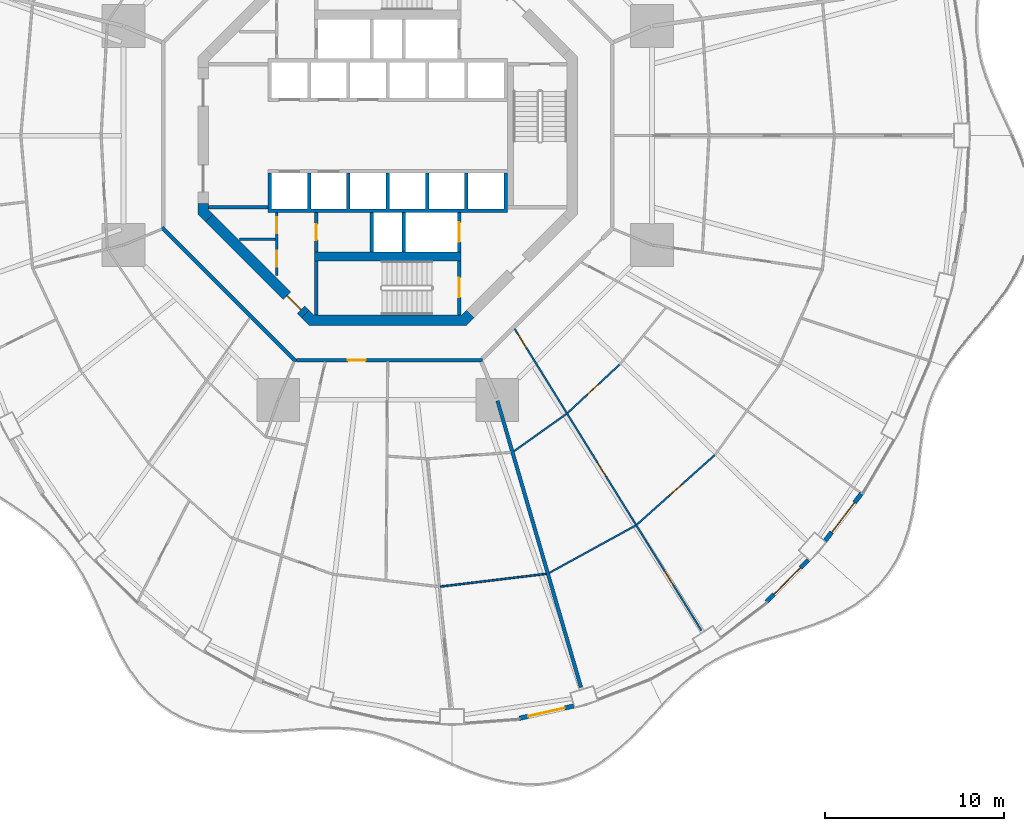
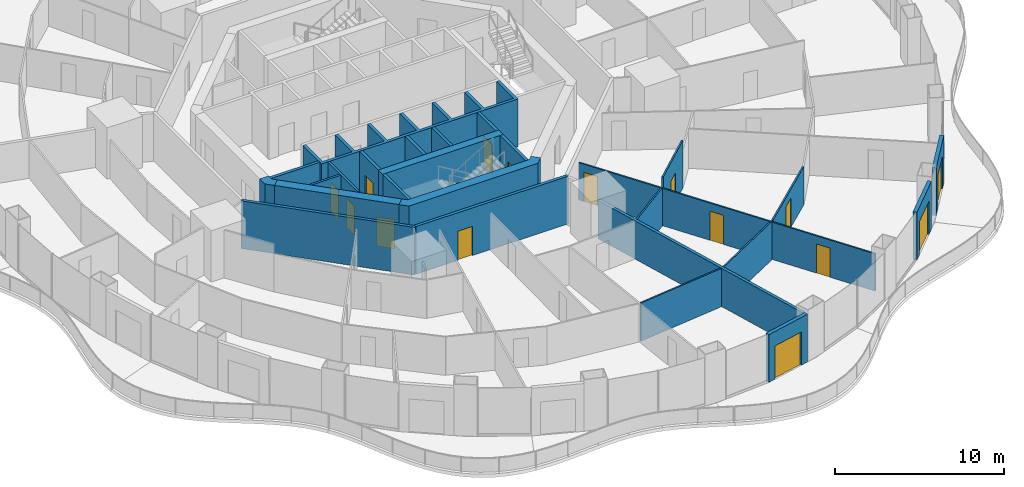
# One storey, part 15 of 22: 26 walls, 15 doors, 15 openings.
"""IFC4 building model written with IfcOpenShell, lengths in metres."""

from ifc_helpers import new_model, si_unit, direction, frame, frame_2d, origin, place, context, subcontext, project, spatial, polyline, rectangle, outline, extrude, material, layer, layer_set, type_object, element, fill, save


model = new_model("IFC4")

# Units and contexts
model_context = context("Model", 3, precision=1e-05, world=origin(), true_north=direction((0.0, 1.0)))
body_context = subcontext(model_context, "Body", "Model", "MODEL_VIEW")
ifc_project = project(units=[si_unit("LENGTHUNIT", "METRE"), si_unit("AREAUNIT", "SQUARE_METRE"), si_unit("VOLUMEUNIT", "CUBIC_METRE"), si_unit("PLANEANGLEUNIT", "RADIAN"), si_unit("MASSUNIT", "GRAM", prefix="KILO")], contexts=[model_context])

# Site, building, storey
site_placement = place(None, origin())
site = spatial("IfcSite", under=ifc_project, at=site_placement, CompositionType="ELEMENT")
building_placement = place(site_placement, origin())
building = spatial("IfcBuilding", under=site, at=building_placement, Name="Nagisa Residences", CompositionType="ELEMENT")
storey_placement = place(building_placement, frame((0.0, 0.0, 38.10009765625)))
storey = spatial("IfcBuildingStorey", under=building, at=storey_placement, Name="L08", CompositionType="ELEMENT", Elevation=38.10009765625)

# Walls
ifc_material_1 = material(Name="Gypsum board on steel studs", Category="steel")
ifc_layer_1 = layer(ifc_material_1, 0.199951171875)
ifc_layer_set_1 = layer_set([ifc_layer_1], Name="Apartment compartment wall EI60 200")
wall_type_1 = type_object("IfcWallType", Name="Apartment compartment wall EI60 200", PredefinedType="PARTITIONING", material=ifc_layer_set_1)
wall_1_placement = place(storey_placement, frame((6.136962890625, -14.830078125, 0.0), z_axis=(0.0, 0.0, 1.0), x_axis=(0.27985745069, -0.960041565399, 0.0)))
element("IfcWall", 1, at=wall_1_placement, inside=storey, type_object=wall_type_1, Name="wall:L08:u05", PredefinedType="PARTITIONING", context=body_context, shape_type="SweptSolid", body=[
    extrude(rectangle(XDim=16.705078125, YDim=0.199951171875, at=frame_2d((8.3525390625, 0.0))), origin(), (0.0, 0.0, 1.0), 2.755859375),
])
ifc_material_2 = material(Name="Gypsum board on steel studs", Category="steel")
ifc_layer_2 = layer(ifc_material_2, 0.199951171875)
ifc_layer_set_2 = layer_set([ifc_layer_2], Name="Apartment entry wall EI60 200")
wall_type_2 = type_object("IfcWallType", Name="Apartment entry wall EI60 200", PredefinedType="PARTITIONING", material=ifc_layer_set_2)
wall_2_placement = place(storey_placement, frame((-12.635498046875, -5.1337890625, 0.0), z_axis=(0.0, 0.0, 1.0), x_axis=(0.707106781187, -0.707106781187, 0.0)))
element("IfcWall", 2, at=wall_2_placement, inside=storey, type_object=wall_type_2, Name="wall:L08:u11", PredefinedType="PARTITIONING", context=body_context, shape_type="SweptSolid", body=[
    extrude(rectangle(XDim=10.609130859375, YDim=0.199951171875, at=frame_2d((5.3046875, 0.0))), origin(), (0.0, 0.0, 1.0), 3.43994140625),
])

# Wall, opening, door
wall_3_placement = place(storey_placement, frame((-5.1044921875, -12.564697265625, 0.0), z_axis=(0.0, 0.0, 1.0), x_axis=(1.0, 0.0, 0.0)))
wall_3 = element("IfcWall", 3, at=wall_3_placement, inside=storey, type_object=wall_type_2, Name="wall:L08:u12", PredefinedType="PARTITIONING", context=body_context, shape_type="SweptSolid", body=[
    extrude(rectangle(XDim=10.408935546875, YDim=0.199951171875, at=frame_2d((5.20458984375, 0.0))), origin(), (0.0, 0.0, 1.0), 3.43994140625),
])
opening_1_placement = place(wall_3_placement, frame((2.86962890625, 0.0, 0.0)))
opening_1 = element("IfcOpeningElement", 4, at=opening_1_placement, cuts=wall_3, Name="Opening L08-U21", PredefinedType="OPENING", context=body_context, shape_type="SweptSolid", body=[
    extrude(rectangle(XDim=1.0, YDim=2.10009765625, at=frame_2d((0.5, 1.050048828125))), frame((0.0, 0.10986328125, 0.0), z_axis=(0.0, -1.0, 0.0), x_axis=(1.0, 0.0, 0.0)), (0.0, 0.0, 1.0), 0.219970703125),
])
ifc_material_3 = material(Name="Timber fire door set", Category="wood")
door_type_1 = type_object("IfcDoorType", Name="Apartment entry door FD30S 1000x2100", OperationType="NOTDEFINED", PredefinedType="DOOR", material=ifc_material_3)
door_1_placement = place(opening_1_placement, frame((1.0, 0.0, 0.0), x_axis=(-1.0, 0.0, 0.0)))
door_1 = element("IfcDoor", 5, at=door_1_placement, inside=storey, type_object=door_type_1, Name="Entry door, Apartment 08B", OperationType="SINGLE_SWING_RIGHT", OverallHeight=2.10009765625, OverallWidth=1.0, PredefinedType="DOOR", context=body_context, shape_type="SweptSolid", body=[
    extrude(rectangle(XDim=1.0, YDim=2.10009765625, at=frame_2d((0.5, 1.050048828125))), frame((0.0, 0.02490234375, 0.0), z_axis=(0.0, -1.0, 0.0), x_axis=(1.0, 0.0, 0.0)), (0.0, 0.0, 1.0), 0.050048828125),
])
fill(opening_1, door_1)

# Walls
ifc_material_4 = material(Name="Gypsum board on steel studs", Category="steel")
ifc_layer_3 = layer(ifc_material_4, 0.10009765625)
ifc_layer_set_3 = layer_set([ifc_layer_3], Name="Apartment partition 100")
wall_type_3 = type_object("IfcWallType", Name="Apartment partition 100", PredefinedType="PARTITIONING", material=ifc_layer_set_3)
wall_4_placement = place(storey_placement, frame((2.94091796875, -25.228515625, 0.0), z_axis=(0.0, 0.0, 1.0), x_axis=(0.992834127896, 0.119500604542, 0.0)))
element("IfcWall", 6, at=wall_4_placement, inside=storey, type_object=wall_type_3, Name="wall:L08:u78", PredefinedType="PARTITIONING", context=body_context, shape_type="SweptSolid", body=[
    extrude(rectangle(XDim=5.95947265625, YDim=0.10009765625, at=frame_2d((2.979736328125, 0.0))), origin(), (0.0, 0.0, 1.0), 2.755859375),
])
wall_5_placement = place(storey_placement, frame((7.0595703125, -17.657470703125, 0.0), z_axis=(0.0, 0.0, 1.0), x_axis=(0.81492039338, 0.57957290521, 0.0)))
element("IfcWall", 7, at=wall_5_placement, inside=storey, type_object=wall_type_3, Name="wall:L08:u79", PredefinedType="PARTITIONING", context=body_context, shape_type="SweptSolid", body=[
    extrude(rectangle(XDim=3.594482421875, YDim=0.10009765625, at=frame_2d((1.79736328125, 0.0))), origin(), (0.0, 0.0, 1.0), 2.755859375),
])
wall_6_placement = place(storey_placement, frame((9.044677734375, -24.456298828125, 0.0), z_axis=(0.0, 0.0, 1.0), x_axis=(0.876809987787, 0.480837025734, 0.0)))
element("IfcWall", 8, at=wall_6_placement, inside=storey, type_object=wall_type_3, Name="wall:L08:u80", PredefinedType="PARTITIONING", context=body_context, shape_type="SweptSolid", body=[
    extrude(rectangle(XDim=5.486083984375, YDim=0.10009765625, at=frame_2d((2.7431640625, 0.0))), origin(), (0.0, 0.0, 1.0), 2.755859375),
])

# Wall, openings, doors
wall_7_placement = place(storey_placement, frame((7.09716796875, -10.809814453125, 0.0), z_axis=(0.0, 0.0, 1.0), x_axis=(0.526453266471, -0.850204068576, 0.0)))
wall_7 = element("IfcWall", 9, at=wall_7_placement, inside=storey, type_object=wall_type_3, Name="wall:L08:u81", PredefinedType="PARTITIONING", context=body_context, shape_type="SweptSolid", body=[
    extrude(rectangle(XDim=19.85009765625, YDim=0.10009765625, at=frame_2d((9.925048828125, 0.0))), origin(), (0.0, 0.0, 1.0), 2.68701171875),
])
opening_2_placement = place(wall_7_placement, frame((0.35009765625, 0.0, 0.0)))
opening_2 = element("IfcOpeningElement", 10, at=opening_2_placement, cuts=wall_7, Name="Opening L08-U50", PredefinedType="OPENING", context=body_context, shape_type="SweptSolid", body=[
    extrude(rectangle(XDim=0.89990234375, YDim=2.10009765625, at=frame_2d((0.449951171875, 1.050048828125))), frame((0.0, 0.06005859375, 0.0), z_axis=(0.0, -1.0, 0.0), x_axis=(1.0, 0.0, 0.0)), (0.0, 0.0, 1.0), 0.1201171875),
])
opening_3_placement = place(wall_7_placement, frame((8.794921875, 0.0, 0.0)))
opening_3 = element("IfcOpeningElement", 11, at=opening_3_placement, cuts=wall_7, Name="Opening L08-U51", PredefinedType="OPENING", context=body_context, shape_type="SweptSolid", body=[
    extrude(rectangle(XDim=0.89990234375, YDim=2.10009765625, at=frame_2d((0.449951171875, 1.050048828125))), frame((0.0, 0.06005859375, 0.0), z_axis=(0.0, -1.0, 0.0), x_axis=(1.0, 0.0, 0.0)), (0.0, 0.0, 1.0), 0.1201171875),
])
opening_4_placement = place(wall_7_placement, frame((15.93505859375, 0.0, 0.0)))
opening_4 = element("IfcOpeningElement", 12, at=opening_4_placement, cuts=wall_7, Name="Opening L08-U52", PredefinedType="OPENING", context=body_context, shape_type="SweptSolid", body=[
    extrude(rectangle(XDim=0.89990234375, YDim=2.10009765625, at=frame_2d((0.449951171875, 1.050048828125))), frame((0.0, 0.06005859375, 0.0), z_axis=(0.0, -1.0, 0.0), x_axis=(1.0, 0.0, 0.0)), (0.0, 0.0, 1.0), 0.1201171875),
])
ifc_material_5 = material(Name="Timber door set", Category="wood")
door_type_2 = type_object("IfcDoorType", Name="Apartment door 900x2100", OperationType="NOTDEFINED", PredefinedType="DOOR", material=ifc_material_5)
door_2_placement = place(opening_2_placement, frame((0.89990234375, 0.0, 0.0), x_axis=(-1.0, 0.0, 0.0)))
door_2 = element("IfcDoor", 13, at=door_2_placement, inside=storey, type_object=door_type_2, Name="Door to laundry, Apartment 08C", OperationType="SINGLE_SWING_LEFT", OverallHeight=2.10009765625, OverallWidth=0.89990234375, PredefinedType="DOOR", context=body_context, shape_type="SweptSolid", body=[
    extrude(rectangle(XDim=0.89990234375, YDim=2.10009765625, at=frame_2d((0.449951171875, 1.050048828125))), frame((0.0, 0.02490234375, 0.0), z_axis=(0.0, -1.0, 0.0), x_axis=(1.0, 0.0, 0.0)), (0.0, 0.0, 1.0), 0.050048828125),
])
fill(opening_2, door_2)
door_3_placement = place(opening_3_placement, frame((0.89990234375, 0.0, 0.0), x_axis=(-1.0, 0.0, 0.0)))
door_3 = element("IfcDoor", 14, at=door_3_placement, inside=storey, type_object=door_type_2, Name="Door to kitchen, Apartment 08C", OperationType="SINGLE_SWING_RIGHT", OverallHeight=2.10009765625, OverallWidth=0.89990234375, PredefinedType="DOOR", context=body_context, shape_type="SweptSolid", body=[
    extrude(rectangle(XDim=0.89990234375, YDim=2.10009765625, at=frame_2d((0.449951171875, 1.050048828125))), frame((0.0, 0.02490234375, 0.0), z_axis=(0.0, -1.0, 0.0), x_axis=(1.0, 0.0, 0.0)), (0.0, 0.0, 1.0), 0.050048828125),
])
fill(opening_3, door_3)
door_4_placement = place(opening_4_placement, frame((0.89990234375, 0.0, 0.0), x_axis=(-1.0, 0.0, 0.0)))
door_4 = element("IfcDoor", 15, at=door_4_placement, inside=storey, type_object=door_type_2, Name="Door to master bedroom, Apartment 08C", OperationType="SINGLE_SWING_LEFT", OverallHeight=2.10009765625, OverallWidth=0.89990234375, PredefinedType="DOOR", context=body_context, shape_type="SweptSolid", body=[
    extrude(rectangle(XDim=0.89990234375, YDim=2.10009765625, at=frame_2d((0.449951171875, 1.050048828125))), frame((0.0, 0.02490234375, 0.0), z_axis=(0.0, -1.0, 0.0), x_axis=(1.0, 0.0, 0.0)), (0.0, 0.0, 1.0), 0.050048828125),
])
fill(opening_4, door_4)

# Wall, opening, door
wall_8_placement = place(storey_placement, frame((10.066162109375, -15.51123046875, 0.0), z_axis=(0.0, 0.0, 1.0), x_axis=(0.732022571638, 0.681280378855, 0.0)))
wall_8 = element("IfcWall", 16, at=wall_8_placement, inside=storey, type_object=wall_type_3, Name="wall:L08:u82", PredefinedType="PARTITIONING", context=body_context, shape_type="SweptSolid", body=[
    extrude(rectangle(XDim=3.9501953125, YDim=0.10009765625, at=frame_2d((1.97509765625, 0.0))), origin(), (0.0, 0.0, 1.0), 3.43994140625),
])
opening_5_placement = place(wall_8_placement, frame((1.525146484375, 0.0, 0.0)))
opening_5 = element("IfcOpeningElement", 17, at=opening_5_placement, cuts=wall_8, Name="Opening L08-U42", PredefinedType="OPENING", context=body_context, shape_type="SweptSolid", body=[
    extrude(rectangle(XDim=0.89990234375, YDim=2.10009765625, at=frame_2d((0.449951171875, 1.050048828125))), frame((0.0, 0.06005859375, 0.0), z_axis=(0.0, -1.0, 0.0), x_axis=(1.0, 0.0, 0.0)), (0.0, 0.0, 1.0), 0.1201171875),
])
door_5_placement = place(opening_5_placement, frame((0.89990234375, 0.0, 0.0), x_axis=(-1.0, 0.0, 0.0)))
door_5 = element("IfcDoor", 18, at=door_5_placement, inside=storey, type_object=door_type_2, Name="Door to family room, Apartment 08C", OperationType="SINGLE_SWING_LEFT", OverallHeight=2.10009765625, OverallWidth=0.89990234375, PredefinedType="DOOR", context=body_context, shape_type="SweptSolid", body=[
    extrude(rectangle(XDim=0.89990234375, YDim=2.10009765625, at=frame_2d((0.449951171875, 1.050048828125))), frame((0.0, 0.02490234375, 0.0), z_axis=(0.0, -1.0, 0.0), x_axis=(1.0, 0.0, 0.0)), (0.0, 0.0, 1.0), 0.050048828125),
])
fill(opening_5, door_5)

wall_9_placement = place(storey_placement, frame((13.936279296875, -21.760986328125, 0.0), z_axis=(0.0, 0.0, 1.0), x_axis=(0.745806142791, 0.666163041136, 0.0)))
wall_9 = element("IfcWall", 19, at=wall_9_placement, inside=storey, type_object=wall_type_3, Name="wall:L08:u83", PredefinedType="PARTITIONING", context=body_context, shape_type="SweptSolid", body=[
    extrude(rectangle(XDim=5.83056640625, YDim=0.10009765625, at=frame_2d((2.915283203125, 0.0))), origin(), (0.0, 0.0, 1.0), 2.755859375),
])
opening_6_placement = place(wall_9_placement, frame((2.46533203125, 0.0, 0.0)))
opening_6 = element("IfcOpeningElement", 20, at=opening_6_placement, cuts=wall_9, Name="Opening L08-U46", PredefinedType="OPENING", context=body_context, shape_type="SweptSolid", body=[
    extrude(rectangle(XDim=0.89990234375, YDim=2.10009765625, at=frame_2d((0.449951171875, 1.050048828125))), frame((0.0, 0.06005859375, 0.0), z_axis=(0.0, -1.0, 0.0), x_axis=(1.0, 0.0, 0.0)), (0.0, 0.0, 1.0), 0.1201171875),
])
door_6_placement = place(opening_6_placement, frame((0.89990234375, 0.0, 0.0), x_axis=(-1.0, 0.0, 0.0)))
door_6 = element("IfcDoor", 21, at=door_6_placement, inside=storey, type_object=door_type_2, Name="Door to living room, Apartment 08C", OperationType="SINGLE_SWING_LEFT", OverallHeight=2.10009765625, OverallWidth=0.89990234375, PredefinedType="DOOR", context=body_context, shape_type="SweptSolid", body=[
    extrude(rectangle(XDim=0.89990234375, YDim=2.10009765625, at=frame_2d((0.449951171875, 1.050048828125))), frame((0.0, 0.02490234375, 0.0), z_axis=(0.0, -1.0, 0.0), x_axis=(1.0, 0.0, 0.0)), (0.0, 0.0, 1.0), 0.050048828125),
])
fill(opening_6, door_6)

ifc_material_6 = material(Name="Precast concrete C40/50", Category="concrete")
ifc_layer_4 = layer(ifc_material_6, 0.25)
ifc_layer_set_4 = layer_set([ifc_layer_4], Name="BALCONY DOOR WALL 250")
wall_type_4 = type_object("IfcWallType", Name="BALCONY DOOR WALL 250", PredefinedType="SOLIDWALL", material=ifc_layer_set_4)
wall_10_placement = place(storey_placement, frame((10.3955078125, -31.908203125, 0.0), z_axis=(0.0, 0.0, 1.0), x_axis=(-0.97533495413, -0.220729987208, 0.0)))
wall_10 = element("IfcWall", 22, at=wall_10_placement, inside=storey, type_object=wall_type_4, Name="wall:L08:bay37", PredefinedType="SOLIDWALL", context=body_context, shape_type="SweptSolid", body=[
    extrude(rectangle(XDim=3.11474609375, YDim=0.25, at=frame_2d((1.557373046875, 0.0))), origin(), (0.0, 0.0, 1.0), 3.43994140625),
])
opening_7_placement = place(wall_10_placement, frame((0.50732421875, 0.0, 0.0)))
opening_7 = element("IfcOpeningElement", 23, at=opening_7_placement, cuts=wall_10, Name="Opening BD-L08-13", PredefinedType="OPENING", context=body_context, shape_type="SweptSolid", body=[
    extrude(rectangle(XDim=2.10009765625, YDim=2.39990234375, at=frame_2d((1.050048828125, 1.199951171875))), frame((0.0, 0.135009765625, 0.0), z_axis=(0.0, -1.0, 0.0), x_axis=(1.0, 0.0, 0.0)), (0.0, 0.0, 1.0), 0.27001953125),
])
ifc_material_7 = material(Name="Aluminium and clear glass", Category="aluminium")
door_type_3 = type_object("IfcDoorType", Name="BALCONY SLIDING DOOR 2100x2400", OperationType="SLIDING_TO_LEFT", PredefinedType="DOOR", material=ifc_material_7)
door_7_placement = place(opening_7_placement, origin())
door_7 = element("IfcDoor", 24, at=door_7_placement, inside=storey, type_object=door_type_3, Name="door:L08:bay37", OperationType="SLIDING_TO_LEFT", OverallHeight=2.39990234375, OverallWidth=2.10009765625, PredefinedType="DOOR", context=body_context, shape_type="SweptSolid", body=[
    extrude(rectangle(XDim=2.10009765625, YDim=2.39990234375, at=frame_2d((1.050048828125, 1.199951171875))), frame((0.0, 0.02490234375, 0.0), z_axis=(0.0, -1.0, 0.0), x_axis=(1.0, 0.0, 0.0)), (0.0, 0.0, 1.0), 0.050048828125),
])
fill(opening_7, door_7)

wall_11_placement = place(storey_placement, frame((23.522216796875, -23.740478515625, 0.0), z_axis=(0.0, 0.0, 1.0), x_axis=(-0.707803094595, -0.706409781417, 0.0)))
wall_11 = element("IfcWall", 25, at=wall_11_placement, inside=storey, type_object=wall_type_4, Name="wall:L08:bay41", PredefinedType="SOLIDWALL", context=body_context, shape_type="SweptSolid", body=[
    extrude(rectangle(XDim=3.329345703125, YDim=0.25, at=frame_2d((1.66455078125, 0.0))), origin(), (0.0, 0.0, 1.0), 3.43994140625),
])
opening_8_placement = place(wall_11_placement, frame((0.614501953125, 0.0, 0.0)))
opening_8 = element("IfcOpeningElement", 26, at=opening_8_placement, cuts=wall_11, Name="Opening BD-L08-14", PredefinedType="OPENING", context=body_context, shape_type="SweptSolid", body=[
    extrude(rectangle(XDim=2.10009765625, YDim=2.39990234375, at=frame_2d((1.050048828125, 1.199951171875))), frame((0.0, 0.135009765625, 0.0), z_axis=(0.0, -1.0, 0.0), x_axis=(1.0, 0.0, 0.0)), (0.0, 0.0, 1.0), 0.27001953125),
])
door_8_placement = place(opening_8_placement, origin())
door_8 = element("IfcDoor", 27, at=door_8_placement, inside=storey, type_object=door_type_3, Name="door:L08:bay41", OperationType="SLIDING_TO_LEFT", OverallHeight=2.39990234375, OverallWidth=2.10009765625, PredefinedType="DOOR", context=body_context, shape_type="SweptSolid", body=[
    extrude(rectangle(XDim=2.10009765625, YDim=2.39990234375, at=frame_2d((1.050048828125, 1.199951171875))), frame((0.0, 0.02490234375, 0.0), z_axis=(0.0, -1.0, 0.0), x_axis=(1.0, 0.0, 0.0)), (0.0, 0.0, 1.0), 0.050048828125),
])
fill(opening_8, door_8)

wall_12_placement = place(storey_placement, frame((26.50830078125, -20.012939453125, 0.0), z_axis=(0.0, 0.0, 1.0), x_axis=(-0.610457147657, -0.792049285635, 0.0)))
wall_12 = element("IfcWall", 28, at=wall_12_placement, inside=storey, type_object=wall_type_4, Name="wall:L08:bay42", PredefinedType="SOLIDWALL", context=body_context, shape_type="SweptSolid", body=[
    extrude(rectangle(XDim=3.3974609375, YDim=0.25, at=frame_2d((1.69873046875, 0.0))), origin(), (0.0, 0.0, 1.0), 3.43994140625),
])
opening_9_placement = place(wall_12_placement, frame((0.648681640625, 0.0, 0.0)))
opening_9 = element("IfcOpeningElement", 29, at=opening_9_placement, cuts=wall_12, Name="Opening BD-L08-15", PredefinedType="OPENING", context=body_context, shape_type="SweptSolid", body=[
    extrude(rectangle(XDim=2.10009765625, YDim=2.39990234375, at=frame_2d((1.050048828125, 1.199951171875))), frame((0.0, 0.135009765625, 0.0), z_axis=(0.0, -1.0, 0.0), x_axis=(1.0, 0.0, 0.0)), (0.0, 0.0, 1.0), 0.27001953125),
])
door_9_placement = place(opening_9_placement, origin())
door_9 = element("IfcDoor", 30, at=door_9_placement, inside=storey, type_object=door_type_3, Name="door:L08:bay42", OperationType="SLIDING_TO_LEFT", OverallHeight=2.39990234375, OverallWidth=2.10009765625, PredefinedType="DOOR", context=body_context, shape_type="SweptSolid", body=[
    extrude(rectangle(XDim=2.10009765625, YDim=2.39990234375, at=frame_2d((1.050048828125, 1.199951171875))), frame((0.0, 0.02490234375, 0.0), z_axis=(0.0, -1.0, 0.0), x_axis=(1.0, 0.0, 0.0)), (0.0, 0.0, 1.0), 0.050048828125),
])
fill(opening_9, door_9)

# Wall, openings, doors
ifc_material_8 = material(Name="Gypsum board on steel studs", Category="steel")
ifc_layer_5 = layer(ifc_material_8, 0.14990234375)
ifc_layer_set_5 = layer_set([ifc_layer_5], Name="Core partition 150")
wall_type_5 = type_object("IfcWallType", Name="Core partition 150", PredefinedType="PARTITIONING", material=ifc_layer_set_5)
wall_13_placement = place(storey_placement, frame((-6.199951171875, -7.826904296875, 0.0), z_axis=(0.0, 0.0, 1.0), x_axis=(0.0, 1.0, 0.0)))
wall_13 = element("IfcWall", 31, at=wall_13_placement, inside=storey, type_object=wall_type_5, Name="wall:L08:SWp", PredefinedType="PARTITIONING", context=body_context, shape_type="SweptSolid", body=[
    extrude(rectangle(XDim=3.52685546875, YDim=0.14990234375, at=frame_2d((1.763427734375, 0.0))), origin(), (0.0, 0.0, 1.0), 3.43994140625),
])
opening_10_placement = place(wall_13_placement, frame((2.364501953125, 0.0, 0.0)))
opening_10 = element("IfcOpeningElement", 32, at=opening_10_placement, cuts=wall_13, Name="Opening L08-C14", PredefinedType="OPENING", context=body_context, shape_type="SweptSolid", body=[
    extrude(rectangle(XDim=0.89990234375, YDim=2.10009765625, at=frame_2d((0.449951171875, 1.050048828125))), frame((0.0, 0.0849609375, 0.0), z_axis=(0.0, -1.0, 0.0), x_axis=(1.0, 0.0, 0.0)), (0.0, 0.0, 1.0), 0.169921875),
])
opening_11_placement = place(wall_13_placement, frame((0.488525390625, 0.0, 0.0)))
opening_11 = element("IfcOpeningElement", 33, at=opening_11_placement, cuts=wall_13, Name="Opening L08-C15", PredefinedType="OPENING", context=body_context, shape_type="SweptSolid", body=[
    extrude(rectangle(XDim=0.89990234375, YDim=2.10009765625, at=frame_2d((0.449951171875, 1.050048828125))), frame((0.0, 0.0849609375, 0.0), z_axis=(0.0, -1.0, 0.0), x_axis=(1.0, 0.0, 0.0)), (0.0, 0.0, 1.0), 0.169921875),
])
ifc_material_9 = material(Name="Steel fire door", Category="steel")
door_type_4 = type_object("IfcDoorType", Name="Fire door EI30 900x2100 single swing", OperationType="NOTDEFINED", PredefinedType="DOOR", material=ifc_material_9)
door_10_placement = place(opening_10_placement, origin())
door_10 = element("IfcDoor", 34, at=door_10_placement, inside=storey, type_object=door_type_4, Name="Valet store door L08", OperationType="SINGLE_SWING_LEFT", OverallHeight=2.10009765625, OverallWidth=0.89990234375, PredefinedType="DOOR", context=body_context, shape_type="SweptSolid", body=[
    extrude(rectangle(XDim=0.89990234375, YDim=2.10009765625, at=frame_2d((0.449951171875, 1.050048828125))), frame((0.0, 0.02490234375, 0.0), z_axis=(0.0, -1.0, 0.0), x_axis=(1.0, 0.0, 0.0)), (0.0, 0.0, 1.0), 0.050048828125),
])
fill(opening_10, door_10)
door_11_placement = place(opening_11_placement, origin())
door_11 = element("IfcDoor", 35, at=door_11_placement, inside=storey, type_object=door_type_4, Name="Staff WC door L08", OperationType="SINGLE_SWING_LEFT", OverallHeight=2.10009765625, OverallWidth=0.89990234375, PredefinedType="DOOR", context=body_context, shape_type="SweptSolid", body=[
    extrude(rectangle(XDim=0.89990234375, YDim=2.10009765625, at=frame_2d((0.449951171875, 1.050048828125))), frame((0.0, 0.02490234375, 0.0), z_axis=(0.0, -1.0, 0.0), x_axis=(1.0, 0.0, 0.0)), (0.0, 0.0, 1.0), 0.050048828125),
])
fill(opening_11, door_11)

# Walls
wall_14_placement = place(storey_placement, frame((-8.301025390625, -5.800048828125, 0.0), z_axis=(0.0, 0.0, 1.0), x_axis=(1.0, 0.0, 0.0)))
element("IfcWall", 36, at=wall_14_placement, inside=storey, type_object=wall_type_5, Name="wall:L08:SWq", PredefinedType="PARTITIONING", context=body_context, shape_type="SweptSolid", body=[
    extrude(rectangle(XDim=2.026123046875, YDim=0.14990234375, at=frame_2d((1.01318359375, 0.0))), origin(), (0.0, 0.0, 1.0), 3.43994140625),
])
ifc_material_10 = material(Name="Gypsum board on steel studs", Category="steel")
ifc_layer_6 = layer(ifc_material_10, 0.199951171875)
ifc_layer_set_6 = layer_set([ifc_layer_6], Name="Core partition 200")
wall_type_6 = type_object("IfcWallType", Name="Core partition 200", PredefinedType="PARTITIONING", material=ifc_layer_set_6)
wall_15_placement = place(storey_placement, frame((-10.024658203125, -4.0, 0.0), z_axis=(0.0, 0.0, 1.0), x_axis=(1.0, 0.0, 0.0)))
element("IfcWall", 37, at=wall_15_placement, inside=storey, type_object=wall_type_6, Name="wall:L08:PSW", PredefinedType="PARTITIONING", context=body_context, shape_type="SweptSolid", body=[
    extrude(rectangle(XDim=3.32470703125, YDim=0.199951171875, at=frame_2d((1.662353515625, 0.0))), origin(), (0.0, 0.0, 1.0), 3.43994140625),
])

# Wall, opening, door
ifc_material_11 = material(Name="Concrete C60", Category="concrete")
ifc_layer_7 = layer(ifc_material_11, 0.60009765625)
ifc_layer_set_7 = layer_set([ifc_layer_7], Name="Core shear wall 600")
wall_type_7 = type_object("IfcWallType", Name="Core shear wall 600", PredefinedType="SHEAR", material=ifc_layer_set_7)
wall_16_placement = place(storey_placement, frame((-9.98828125, -4.613037109375, 0.0), z_axis=(0.0, 0.0, 1.0), x_axis=(0.707106781187, -0.707106781187, 0.0)))
wall_16 = element("IfcWall", 38, at=wall_16_placement, inside=storey, type_object=wall_type_7, Name="wall:L08:core:flat5", PredefinedType="SHEAR", context=body_context, shape_type="SweptSolid", body=[
    extrude(rectangle(XDim=7.601806640625, YDim=0.60009765625, at=frame_2d((3.80078125, 0.0))), origin(), (0.0, 0.0, 1.0), 3.43994140625),
])
opening_12_placement = place(wall_16_placement, frame((6.15087890625, 0.0, 0.0)))
opening_12 = element("IfcOpeningElement", 39, at=opening_12_placement, cuts=wall_16, Name="Opening L08-C22", PredefinedType="OPENING", context=body_context, shape_type="SweptSolid", body=[
    extrude(rectangle(XDim=1.10009765625, YDim=2.10009765625, at=frame_2d((0.550048828125, 1.050048828125))), frame((0.0, 0.31005859375, 0.0), z_axis=(0.0, -1.0, 0.0), x_axis=(1.0, 0.0, 0.0)), (0.0, 0.0, 1.0), 0.6201171875),
])
ifc_material_12 = material(Name="Steel fire door", Category="steel")
door_type_5 = type_object("IfcDoorType", Name="Fire door EI60 1100x2100 single swing", OperationType="NOTDEFINED", PredefinedType="DOOR", material=ifc_material_12)
door_12_placement = place(opening_12_placement, origin())
door_12 = element("IfcDoor", 40, at=door_12_placement, inside=storey, type_object=door_type_5, Name="Housekeeping lobby door L08", OperationType="SINGLE_SWING_RIGHT", OverallHeight=2.10009765625, OverallWidth=1.10009765625, PredefinedType="DOOR", context=body_context, shape_type="SweptSolid", body=[
    extrude(rectangle(XDim=1.10009765625, YDim=2.10009765625, at=frame_2d((0.550048828125, 1.050048828125))), frame((0.0, 0.02490234375, 0.0), z_axis=(0.0, -1.0, 0.0), x_axis=(1.0, 0.0, 0.0)), (0.0, 0.0, 1.0), 0.050048828125),
])
fill(opening_12, door_12)

# Walls
wall_17_placement = place(storey_placement, origin())
element("IfcWall", 41, at=wall_17_placement, inside=storey, type_object=wall_type_7, Name="wall:L08:core:pier4", PredefinedType="SHEAR", context=body_context, shape_type="SweptSolid", body=[
    extrude(outline(polyline([(-10.62451171875, -3.80078125), (-10.024658203125, -3.80078125), (-10.024658203125, -4.15234375), (-9.776123046875, -4.40087890625), (-10.200439453125, -4.8251953125), (-10.62451171875, -4.40087890625), (-10.62451171875, -3.80078125)])), origin(), (0.0, 0.0, 1.0), 3.43994140625),
])
wall_18_placement = place(storey_placement, origin())
element("IfcWall", 42, at=wall_18_placement, inside=storey, type_object=wall_type_7, Name="wall:L08:core:flat6", PredefinedType="SHEAR", context=body_context, shape_type="SweptSolid", body=[
    extrude(outline(polyline([(-4.15234375, -10.024658203125), (4.15234375, -10.024658203125), (4.40087890625, -9.776123046875), (4.8251953125, -10.200439453125), (4.40087890625, -10.62451171875), (-4.40087890625, -10.62451171875), (-4.8251953125, -10.200439453125), (-4.40087890625, -9.776123046875), (-4.15234375, -10.024658203125)])), origin(), (0.0, 0.0, 1.0), 3.43994140625),
])

# Wall, opening, door
ifc_material_13 = material(Name="Concrete C60", Category="concrete")
ifc_layer_8 = layer(ifc_material_13, 0.199951171875)
ifc_layer_set_8 = layer_set([ifc_layer_8], Name="Lift shaft wall 200")
wall_type_8 = type_object("IfcWallType", Name="Lift shaft wall 200", PredefinedType="SOLIDWALL", material=ifc_layer_set_8)
wall_19_placement = place(storey_placement, frame((4.0, -6.5, 0.0), z_axis=(0.0, 0.0, 1.0), x_axis=(0.0, 1.0, 0.0)))
wall_19 = element("IfcWall", 43, at=wall_19_placement, inside=storey, type_object=wall_type_8, Name="wall:L08:Sb3", PredefinedType="SOLIDWALL", context=body_context, shape_type="SweptSolid", body=[
    extrude(rectangle(XDim=2.199951171875, YDim=0.199951171875, at=frame_2d((1.10009765625, 0.0))), origin(), (0.0, 0.0, 1.0), 3.43994140625),
])
opening_13_placement = place(wall_19_placement, frame((0.550048828125, 0.0, 0.0)))
opening_13 = element("IfcOpeningElement", 44, at=opening_13_placement, cuts=wall_19, Name="Opening L08-C07", PredefinedType="OPENING", context=body_context, shape_type="SweptSolid", body=[
    extrude(rectangle(XDim=1.10009765625, YDim=2.10009765625, at=frame_2d((0.550048828125, 1.050048828125))), frame((0.0, 0.10986328125, 0.0), z_axis=(0.0, -1.0, 0.0), x_axis=(1.0, 0.0, 0.0)), (0.0, 0.0, 1.0), 0.219970703125),
])
ifc_material_14 = material(Name="Stainless steel", Category="steel")
door_type_6 = type_object("IfcDoorType", Name="Lift landing door 1100x2100", OperationType="DOUBLE_DOOR_SLIDING", PredefinedType="DOOR", material=ifc_material_14)
door_13_placement = place(opening_13_placement, origin())
door_13 = element("IfcDoor", 45, at=door_13_placement, inside=storey, type_object=door_type_6, Name="Landing door FL2 L08", OperationType="DOUBLE_DOOR_SLIDING", OverallHeight=2.10009765625, OverallWidth=1.10009765625, PredefinedType="DOOR", context=body_context, shape_type="SweptSolid", body=[
    extrude(rectangle(XDim=1.10009765625, YDim=2.10009765625, at=frame_2d((0.550048828125, 1.050048828125))), frame((0.0, 0.02490234375, 0.0), z_axis=(0.0, -1.0, 0.0), x_axis=(1.0, 0.0, 0.0)), (0.0, 0.0, 1.0), 0.050048828125),
])
fill(opening_13, door_13)

wall_20_placement = place(storey_placement, frame((-4.0, -6.5, 0.0), z_axis=(0.0, 0.0, 1.0), x_axis=(0.0, 1.0, 0.0)))
wall_20 = element("IfcWall", 46, at=wall_20_placement, inside=storey, type_object=wall_type_8, Name="wall:L08:Sb4", PredefinedType="SOLIDWALL", context=body_context, shape_type="SweptSolid", body=[
    extrude(rectangle(XDim=2.199951171875, YDim=0.199951171875, at=frame_2d((1.10009765625, 0.0))), origin(), (0.0, 0.0, 1.0), 3.43994140625),
])
opening_14_placement = place(wall_20_placement, frame((0.64990234375, 0.0, 0.0)))
opening_14 = element("IfcOpeningElement", 47, at=opening_14_placement, cuts=wall_20, Name="Opening L08-C16", PredefinedType="OPENING", context=body_context, shape_type="SweptSolid", body=[
    extrude(rectangle(XDim=0.89990234375, YDim=2.10009765625, at=frame_2d((0.449951171875, 1.050048828125))), frame((0.0, 0.10986328125, 0.0), z_axis=(0.0, -1.0, 0.0), x_axis=(1.0, 0.0, 0.0)), (0.0, 0.0, 1.0), 0.219970703125),
])
door_14_placement = place(opening_14_placement, frame((0.89990234375, 0.0, 0.0), x_axis=(-1.0, 0.0, 0.0)))
door_14 = element("IfcDoor", 48, at=door_14_placement, inside=storey, type_object=door_type_4, Name="Refuse room door L08", OperationType="SINGLE_SWING_LEFT", OverallHeight=2.10009765625, OverallWidth=0.89990234375, PredefinedType="DOOR", context=body_context, shape_type="SweptSolid", body=[
    extrude(rectangle(XDim=0.89990234375, YDim=2.10009765625, at=frame_2d((0.449951171875, 1.050048828125))), frame((0.0, 0.02490234375, 0.0), z_axis=(0.0, -1.0, 0.0), x_axis=(1.0, 0.0, 0.0)), (0.0, 0.0, 1.0), 0.050048828125),
])
fill(opening_14, door_14)

# Walls
for number, where, z_axis, x_axis, name in (
    (49, (-0.89990234375, -6.5, 0.0), (0.0, 0.0, 1.0), (0.0, 1.0, 0.0), "wall:L08:Sb1"),
    (50, (0.89990234375, -6.5, 0.0), (0.0, 0.0, 1.0), (0.0, 1.0, 0.0), "wall:L08:Sb2"),
):
    element("IfcWall", number, at=place(storey_placement, frame(where, z_axis=z_axis, x_axis=x_axis)), inside=storey, type_object=wall_type_8, Name=name, PredefinedType="SOLIDWALL", context=body_context, shape_type="SweptSolid", body=[
        extrude(rectangle(XDim=2.199951171875, YDim=0.199951171875, at=frame_2d((1.10009765625, 0.0))), origin(), (0.0, 0.0, 1.0), 3.43994140625),
    ])
wall_21_placement = place(storey_placement, origin())
element("IfcWall", 51, at=wall_21_placement, inside=storey, type_object=wall_type_8, Name="wall:L08:Sback", PredefinedType="SOLIDWALL", context=body_context, shape_type="SweptSolid", body=[
    extrude(outline(polyline([(-6.699951171875, -2.10009765625), (-6.5, -2.10009765625), (-6.5, -4.10009765625), (-4.5, -4.10009765625), (-4.5, -2.10009765625), (-4.300048828125, -2.10009765625), (-4.300048828125, -4.10009765625), (-2.300048828125, -4.10009765625), (-2.300048828125, -2.10009765625), (-2.10009765625, -2.10009765625), (-2.10009765625, -4.10009765625), (-0.10009765625, -4.10009765625), (-0.10009765625, -2.10009765625), (0.10009765625, -2.10009765625), (0.10009765625, -4.10009765625), (2.10009765625, -4.10009765625), (2.10009765625, -2.10009765625), (2.300048828125, -2.10009765625), (2.300048828125, -4.10009765625), (4.300048828125, -4.10009765625), (4.300048828125, -2.10009765625), (4.5, -2.10009765625), (4.5, -4.10009765625), (6.5, -4.10009765625), (6.5, -2.10009765625), (6.699951171875, -2.10009765625), (6.699951171875, -4.300048828125), (-6.699951171875, -4.300048828125), (-6.699951171875, -2.10009765625)])), origin(), (0.0, 0.0, 1.0), 3.43994140625),
])

# Wall, opening, door
ifc_material_15 = material(Name="Concrete C60", Category="concrete")
ifc_layer_9 = layer(ifc_material_15, 0.199951171875)
ifc_layer_set_9 = layer_set([ifc_layer_9], Name="Stair enclosure wall 200")
wall_type_9 = type_object("IfcWallType", Name="Stair enclosure wall 200", PredefinedType="SOLIDWALL", material=ifc_layer_set_9)
wall_22_placement = place(storey_placement, frame((4.0, -10.024658203125, 0.0), z_axis=(0.0, 0.0, 1.0), x_axis=(0.0, 1.0, 0.0)))
wall_22 = element("IfcWall", 52, at=wall_22_placement, inside=storey, type_object=wall_type_9, Name="wall:L08:SS_e", PredefinedType="SOLIDWALL", context=body_context, shape_type="SweptSolid", body=[
    extrude(rectangle(XDim=3.0, YDim=0.199951171875, at=frame_2d((1.5, 0.0))), origin(), (0.0, 0.0, 1.0), 3.43994140625),
])
opening_15_placement = place(wall_22_placement, frame((0.974609375, 0.0, 0.0)))
opening_15 = element("IfcOpeningElement", 53, at=opening_15_placement, cuts=wall_22, Name="Opening L08-C11", PredefinedType="OPENING", context=body_context, shape_type="SweptSolid", body=[
    extrude(rectangle(XDim=1.10009765625, YDim=2.10009765625, at=frame_2d((0.550048828125, 1.050048828125))), frame((0.0, 0.10986328125, 0.0), z_axis=(0.0, -1.0, 0.0), x_axis=(1.0, 0.0, 0.0)), (0.0, 0.0, 1.0), 0.219970703125),
])
ifc_material_16 = material(Name="Steel fire door", Category="steel")
door_type_7 = type_object("IfcDoorType", Name="Fire door EI90 1100x2100 single swing", OperationType="NOTDEFINED", PredefinedType="DOOR", material=ifc_material_16)
door_15_placement = place(opening_15_placement, origin())
door_15 = element("IfcDoor", 54, at=door_15_placement, inside=storey, type_object=door_type_7, Name="Stair door ST-S L08", OperationType="SINGLE_SWING_LEFT", OverallHeight=2.10009765625, OverallWidth=1.10009765625, PredefinedType="DOOR", context=body_context, shape_type="SweptSolid", body=[
    extrude(rectangle(XDim=1.10009765625, YDim=2.10009765625, at=frame_2d((0.550048828125, 1.050048828125))), frame((0.0, 0.02490234375, 0.0), z_axis=(0.0, -1.0, 0.0), x_axis=(1.0, 0.0, 0.0)), (0.0, 0.0, 1.0), 0.050048828125),
])
fill(opening_15, door_15)

# Walls
wall_23_placement = place(storey_placement, origin())
element("IfcWall", 55, at=wall_23_placement, inside=storey, type_object=wall_type_9, Name="wall:L08:SS_w", PredefinedType="SOLIDWALL", context=body_context, shape_type="SweptSolid", body=[
    extrude(outline(polyline([(-3.89990234375, -10.024658203125), (-4.10009765625, -10.024658203125), (-4.10009765625, -7.024658203125), (-3.89990234375, -7.024658203125), (-3.89990234375, -10.024658203125)])), origin(), (0.0, 0.0, 1.0), 3.43994140625),
])
wall_24_placement = place(storey_placement, origin())
element("IfcWall", 56, at=wall_24_placement, inside=storey, type_object=wall_type_9, Name="wall:L08:SS_n", PredefinedType="SOLIDWALL", context=body_context, shape_type="SweptSolid", body=[
    extrude(outline(polyline([(4.10009765625, -7.024658203125), (-4.10009765625, -7.024658203125), (-4.10009765625, -6.5), (4.10009765625, -6.5), (4.10009765625, -7.024658203125)])), origin(), (0.0, 0.0, 1.0), 3.43994140625),
])

save(model, "model.ifc")
